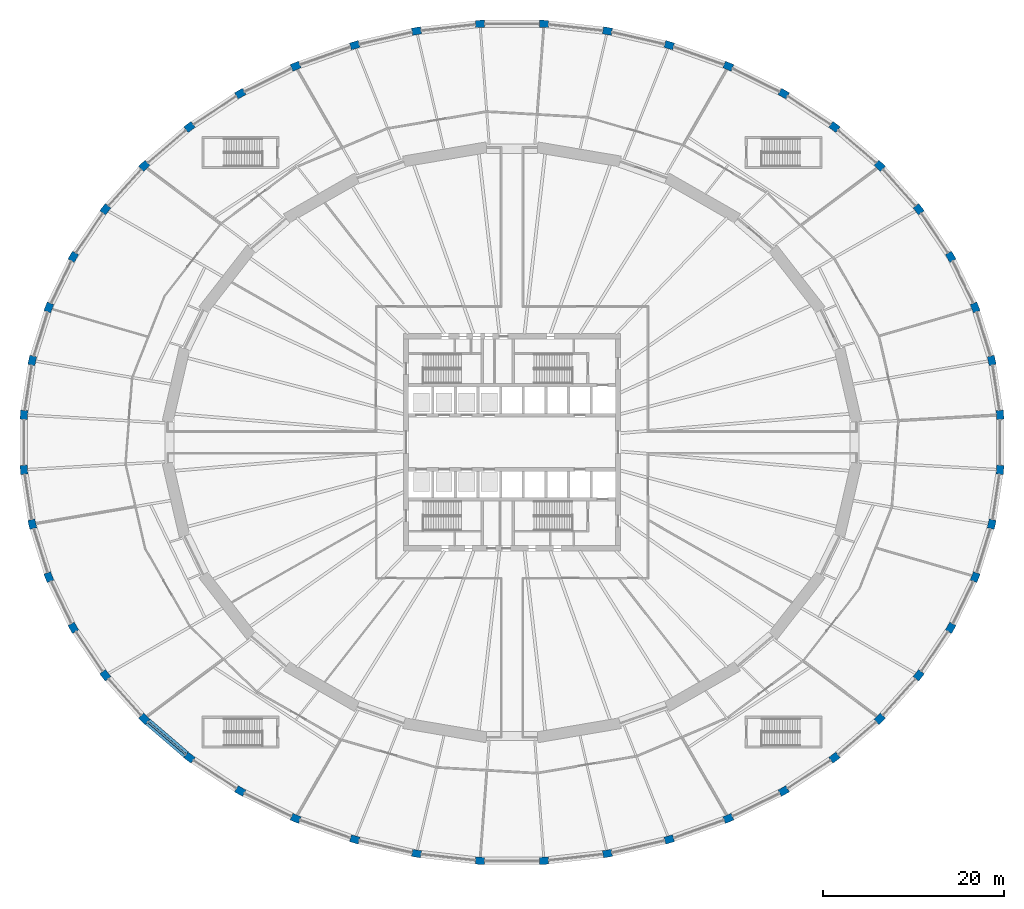
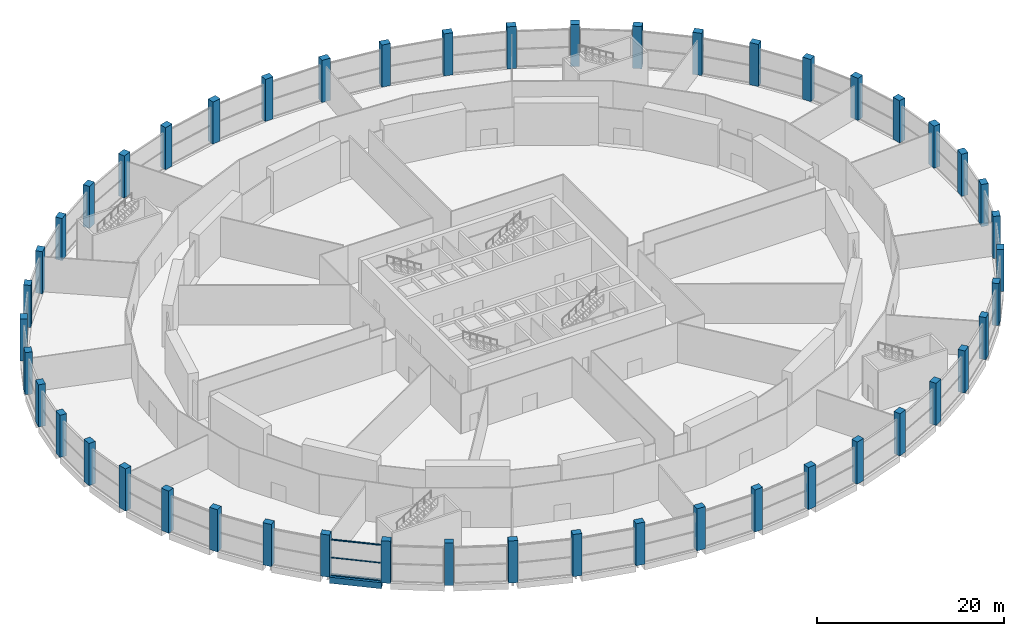
# One storey, part 1 of 29: 48 columns, 3 members, 1 beam, 1 element without a shape of its own.
"""IFC4 building model written with IfcOpenShell, lengths in metres."""

from ifc_helpers import new_model, si_unit, direction, frame, origin, origin_2d, place, context, subcontext, project, spatial, rectangle, extrude, material, material_profile, profile_set, type_object, element, aggregate, save


model = new_model("IFC4")

# Units and contexts
model_context = context("Model", 3, precision=1e-05, world=origin(), true_north=direction((0.0, 1.0)))
body_context = subcontext(model_context, "Body", "Model", "MODEL_VIEW")
ifc_project = project(units=[si_unit("LENGTHUNIT", "METRE"), si_unit("AREAUNIT", "SQUARE_METRE"), si_unit("VOLUMEUNIT", "CUBIC_METRE"), si_unit("PLANEANGLEUNIT", "RADIAN"), si_unit("MASSUNIT", "GRAM", prefix="KILO")], contexts=[model_context])

# Site, building, storey
site_placement = place(None, origin())
site = spatial("IfcSite", under=ifc_project, at=site_placement, CompositionType="ELEMENT")
building_placement = place(site_placement, origin())
building = spatial("IfcBuilding", under=site, at=building_placement, Name="Halqa Exchange Tower", CompositionType="ELEMENT")
storey_placement = place(building_placement, frame((0.0, 0.0, 7.0)))
storey = spatial("IfcBuildingStorey", under=building, at=storey_placement, Name="L01", CompositionType="ELEMENT", Elevation=7.0)

# Columns
ifc_material_1 = material(Name="Concrete C60/75", Category="concrete")
ifc_material_profile_1 = material_profile(ifc_material_1, rectangle(XDim=1.0, YDim=0.800048828125, at=origin_2d()), Name="1000 x 800")
ifc_profile_set_1 = profile_set([ifc_material_profile_1], Name="Concrete C60/75")
column_type = type_object("IfcColumnType", Name="RC podium ring column 1000 x 800 C60/75", PredefinedType="COLUMN", material=ifc_profile_set_1)
for number, where, z_axis, x_axis, name in (
    (1, (53.884521484375, 3.0283203125, 0.0), (0.0, 0.0, 1.0), (-0.076223065836, 0.997090790367, 0.0), "Podium ring column 1"),
    (2, (52.96240234375, 9.03271484375, 0.0), (0.0, 0.0, 1.0), (-0.22599679145, 0.974128046129, 0.0), "Podium ring column 2"),
    (3, (51.13427734375, 14.882568359375, 0.0), (0.0, 0.0, 1.0), (-0.368109947744, 0.92978226826, 0.0), "Podium ring column 3"),
    (4, (48.43115234375, 20.47802734375, 0.0), (0.0, 0.0, 1.0), (-0.498569440634, 0.866849763723, 0.0), "Podium ring column 4"),
    (5, (44.8994140625, 25.722900390625, 0.0), (0.0, 0.0, 1.0), (-0.614691396063, 0.788767701929, 0.0), "Podium ring column 5"),
    (6, (40.599365234375, 30.527587890625, 0.0), (0.0, 0.0, 1.0), (-0.715039055588, 0.699084507755, 0.0), "Podium ring column 6"),
    (7, (35.604736328125, 34.810302734375, 0.0), (0.0, 0.0, 1.0), (-0.799260046694, 0.600985339055, 0.0), "Podium ring column 7"),
    (8, (30.000732421875, 38.4970703125, 0.0), (0.0, 0.0, 1.0), (-0.867693451459, 0.497099662336, 0.0), "Podium ring column 8"),
    (9, (23.883544921875, 41.525146484375, 0.0), (0.0, 0.0, 1.0), (-0.921048160137, 0.389448695861, 0.0), "Podium ring column 9"),
    (10, (17.357666015625, 43.843017578125, 0.0), (0.0, 0.0, 1.0), (-0.960157717988, 0.27945868494, 0.0), "Podium ring column 10"),
    (11, (10.534912109375, 45.410400390625, 0.0), (0.0, 0.0, 1.0), (-0.985766331194, 0.168121207122, 0.0), "Podium ring column 11"),
    (12, (3.53173828125, 46.200927734375, 0.0), (0.0, 0.0, 1.0), (-0.998424745269, 0.056107290394, 0.0), "Podium ring column 12"),
    (13, (-3.53173828125, 46.200927734375, 0.0), (0.0, 0.0, 1.0), (-0.998424745269, -0.056107290394, 0.0), "Podium ring column 13"),
    (14, (-10.534912109375, 45.410400390625, 0.0), (0.0, 0.0, 1.0), (-0.985766331194, -0.168121207122, 0.0), "Podium ring column 14"),
    (15, (-17.357666015625, 43.843017578125, 0.0), (0.0, 0.0, 1.0), (-0.960157717988, -0.27945868494, 0.0), "Podium ring column 15"),
    (16, (-23.883544921875, 41.525146484375, 0.0), (0.0, 0.0, 1.0), (-0.921048160137, -0.389448695861, 0.0), "Podium ring column 16"),
    (17, (-30.000732421875, 38.4970703125, 0.0), (0.0, 0.0, 1.0), (-0.867693451459, -0.497099662336, 0.0), "Podium ring column 17"),
    (18, (-35.604736328125, 34.810302734375, 0.0), (0.0, 0.0, 1.0), (-0.799260046694, -0.600985339055, 0.0), "Podium ring column 18"),
    (19, (-40.599365234375, 30.527587890625, 0.0), (0.0, 0.0, 1.0), (-0.715039055588, -0.699084507755, 0.0), "Podium ring column 19"),
    (20, (-44.8994140625, 25.722900390625, 0.0), (0.0, 0.0, 1.0), (-0.614691396063, -0.788767701929, 0.0), "Podium ring column 20"),
    (21, (-48.43115234375, 20.47802734375, 0.0), (0.0, 0.0, 1.0), (-0.498569440634, -0.866849763723, 0.0), "Podium ring column 21"),
    (22, (-51.13427734375, 14.882568359375, 0.0), (0.0, 0.0, 1.0), (-0.368109947744, -0.92978226826, 0.0), "Podium ring column 22"),
    (23, (-52.96240234375, 9.03271484375, 0.0), (0.0, 0.0, 1.0), (-0.22599679145, -0.974128046129, 0.0), "Podium ring column 23"),
    (24, (-53.884521484375, 3.0283203125, 0.0), (0.0, 0.0, 1.0), (-0.076223065836, -0.997090790367, 0.0), "Podium ring column 24"),
    (25, (-53.884521484375, -3.0283203125, 0.0), (0.0, 0.0, 1.0), (0.076223065836, -0.997090790367, 0.0), "Podium ring column 25"),
    (26, (-52.96240234375, -9.03271484375, 0.0), (0.0, 0.0, 1.0), (0.22599679145, -0.974128046129, 0.0), "Podium ring column 26"),
    (27, (-51.13427734375, -14.882568359375, 0.0), (0.0, 0.0, 1.0), (0.368109947744, -0.92978226826, 0.0), "Podium ring column 27"),
    (28, (-48.43115234375, -20.47802734375, 0.0), (0.0, 0.0, 1.0), (0.498569440634, -0.866849763723, 0.0), "Podium ring column 28"),
    (29, (-44.8994140625, -25.722900390625, 0.0), (0.0, 0.0, 1.0), (0.614691396063, -0.788767701929, 0.0), "Podium ring column 29"),
    (30, (-40.599365234375, -30.527587890625, 0.0), (0.0, 0.0, 1.0), (0.715039055588, -0.699084507755, 0.0), "Podium ring column 30"),
    (31, (-35.604736328125, -34.810302734375, 0.0), (0.0, 0.0, 1.0), (0.799260046694, -0.600985339055, 0.0), "Podium ring column 31"),
    (32, (-30.000732421875, -38.4970703125, 0.0), (0.0, 0.0, 1.0), (0.867693451459, -0.497099662336, 0.0), "Podium ring column 32"),
    (33, (-23.883544921875, -41.525146484375, 0.0), (0.0, 0.0, 1.0), (0.921048160137, -0.389448695861, 0.0), "Podium ring column 33"),
    (34, (-17.357666015625, -43.843017578125, 0.0), (0.0, 0.0, 1.0), (0.960157717988, -0.27945868494, 0.0), "Podium ring column 34"),
    (35, (-10.534912109375, -45.410400390625, 0.0), (0.0, 0.0, 1.0), (0.985766331194, -0.168121207122, 0.0), "Podium ring column 35"),
    (36, (-3.53173828125, -46.200927734375, 0.0), (0.0, 0.0, 1.0), (0.998424745269, -0.056107290394, 0.0), "Podium ring column 36"),
    (37, (3.53173828125, -46.200927734375, 0.0), (0.0, 0.0, 1.0), (0.998424745269, 0.056107290394, 0.0), "Podium ring column 37"),
    (38, (10.534912109375, -45.410400390625, 0.0), (0.0, 0.0, 1.0), (0.985766331194, 0.168121207122, 0.0), "Podium ring column 38"),
    (39, (17.357666015625, -43.843017578125, 0.0), (0.0, 0.0, 1.0), (0.960157717988, 0.27945868494, 0.0), "Podium ring column 39"),
    (40, (23.883544921875, -41.525146484375, 0.0), (0.0, 0.0, 1.0), (0.921048160137, 0.389448695861, 0.0), "Podium ring column 40"),
    (41, (30.000732421875, -38.4970703125, 0.0), (0.0, 0.0, 1.0), (0.867693451459, 0.497099662336, 0.0), "Podium ring column 41"),
    (42, (35.604736328125, -34.810302734375, 0.0), (0.0, 0.0, 1.0), (0.799260046694, 0.600985339055, 0.0), "Podium ring column 42"),
    (43, (40.599365234375, -30.527587890625, 0.0), (0.0, 0.0, 1.0), (0.715039055588, 0.699084507755, 0.0), "Podium ring column 43"),
    (44, (44.8994140625, -25.722900390625, 0.0), (0.0, 0.0, 1.0), (0.614691396063, 0.788767701929, 0.0), "Podium ring column 44"),
    (45, (48.43115234375, -20.47802734375, 0.0), (0.0, 0.0, 1.0), (0.498569440634, 0.866849763723, 0.0), "Podium ring column 45"),
    (46, (51.13427734375, -14.882568359375, 0.0), (0.0, 0.0, 1.0), (0.368109947744, 0.92978226826, 0.0), "Podium ring column 46"),
    (47, (52.96240234375, -9.03271484375, 0.0), (0.0, 0.0, 1.0), (0.22599679145, 0.974128046129, 0.0), "Podium ring column 47"),
    (48, (53.884521484375, -3.0283203125, 0.0), (0.0, 0.0, 1.0), (0.076223065836, 0.997090790367, 0.0), "Podium ring column 48"),
):
    element("IfcColumn", number, at=place(storey_placement, frame(where, z_axis=z_axis, x_axis=x_axis)), inside=storey, type_object=column_type, Name=name, PredefinedType="COLUMN", context=body_context, shape_type="SweptSolid", body=[
        extrude(rectangle(XDim=1.0, YDim=0.800048828125, at=origin_2d()), origin(), (0.0, 0.0, 1.0), 5.5),
    ])

# Curtain wall, members
ifc_material_2 = material(Name="Anodised aluminium and clear glass", Category="aluminium")
curtain_wall_type = type_object("IfcCurtainWallType", Name="Exchange hall glazing", PredefinedType="NOTDEFINED", material=ifc_material_2)
curtain_wall_placement = place(storey_placement, origin())
curtain_wall = element("IfcCurtainWall", 49, at=curtain_wall_placement, inside=storey, type_object=curtain_wall_type, Name="Exchange hall glazing run P30", PredefinedType="NOTDEFINED")
ifc_material_3 = material(Name="Anodised aluminium", Category="aluminium")
ifc_material_profile_2 = material_profile(ifc_material_3, rectangle(XDim=0.199951171875, YDim=0.070068359375, at=origin_2d()), Name="AL 70x200")
ifc_profile_set_2 = profile_set([ifc_material_profile_2], Name="Anodised aluminium")
member_type = type_object("IfcMemberType", Name="Exchange hall glazing transom 70 x 200", PredefinedType="USERDEFINED", material=ifc_profile_set_2)
member_1_placement = place(storey_placement, frame((-40.16650390625, -30.898681640625, 0.034912109375), z_axis=(0.759142529619, -0.650924434727, 0.0), x_axis=(0.650924434727, 0.759142529619, 0.0)))
member_1 = element("IfcMember", 50, at=member_1_placement, type_object=member_type, Name="P30 transom 1.1", ObjectType="TRANSOM", PredefinedType="USERDEFINED", context=body_context, shape_type="SweptSolid", body=[
    extrude(rectangle(XDim=0.199951171875, YDim=0.070068359375, at=origin_2d()), origin(), (0.0, 0.0, 1.0), 5.439208984375),
])
member_2_placement = place(storey_placement, frame((-40.16650390625, -30.898681640625, 2.35009765625), z_axis=(0.759142529619, -0.650924434727, 0.0), x_axis=(0.650924434727, 0.759142529619, 0.0)))
member_2 = element("IfcMember", 51, at=member_2_placement, type_object=member_type, Name="P30 transom 1.2", ObjectType="TRANSOM", PredefinedType="USERDEFINED", context=body_context, shape_type="SweptSolid", body=[
    extrude(rectangle(XDim=0.199951171875, YDim=0.070068359375, at=origin_2d()), origin(), (0.0, 0.0, 1.0), 5.439208984375),
])
member_3_placement = place(storey_placement, frame((-40.16650390625, -30.898681640625, 4.6650390625), z_axis=(0.759142529619, -0.650924434727, 0.0), x_axis=(0.650924434727, 0.759142529619, 0.0)))
member_3 = element("IfcMember", 52, at=member_3_placement, type_object=member_type, Name="P30 transom 1.3", ObjectType="TRANSOM", PredefinedType="USERDEFINED", context=body_context, shape_type="SweptSolid", body=[
    extrude(rectangle(XDim=0.199951171875, YDim=0.070068359375, at=origin_2d()), origin(), (0.0, 0.0, 1.0), 5.439208984375),
])
aggregate(curtain_wall, [member_1, member_2, member_3])

# Beam
ifc_material_profile_3 = material_profile(ifc_material_1, rectangle(XDim=0.800048828125, YDim=0.800048828125, at=origin_2d()), Name="800 x 800")
ifc_profile_set_3 = profile_set([ifc_material_profile_3], Name="Concrete C60/75")
beam_type = type_object("IfcBeamType", Name="RC podium edge beam 800 x 800 C60/75", PredefinedType="SPANDREL", material=ifc_profile_set_3)
beam_placement = place(storey_placement, frame((-40.240478515625, -30.83544921875, -0.39990234375), z_axis=(0.759174010844, -0.650887717859, 0.0), x_axis=(0.650887717859, 0.759174010844, 0.0)))
element("IfcBeam", 53, at=beam_placement, inside=storey, type_object=beam_type, Name="Podium edge beam 30", PredefinedType="SPANDREL", context=body_context, shape_type="SweptSolid", body=[
    extrude(rectangle(XDim=0.800048828125, YDim=0.800048828125, at=origin_2d()), origin(), (0.0, 0.0, 1.0), 5.63427734375),
])

save(model, "model.ifc")
